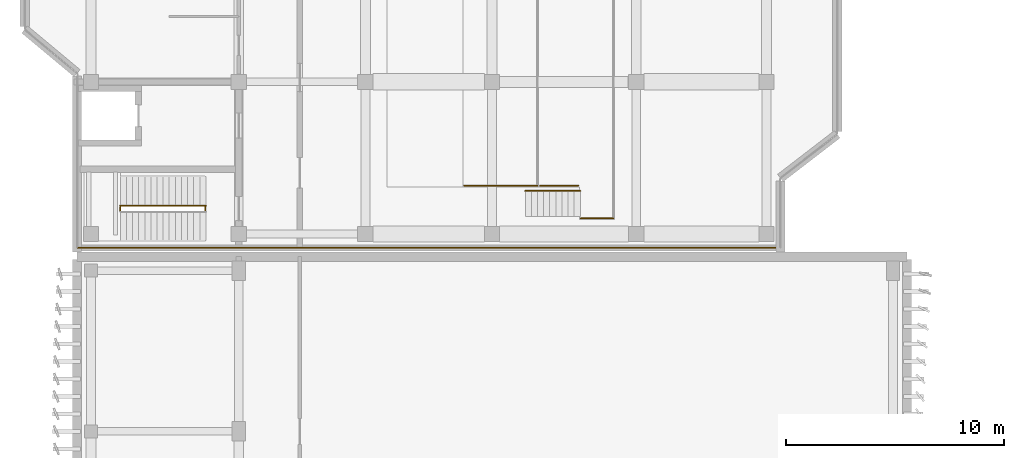
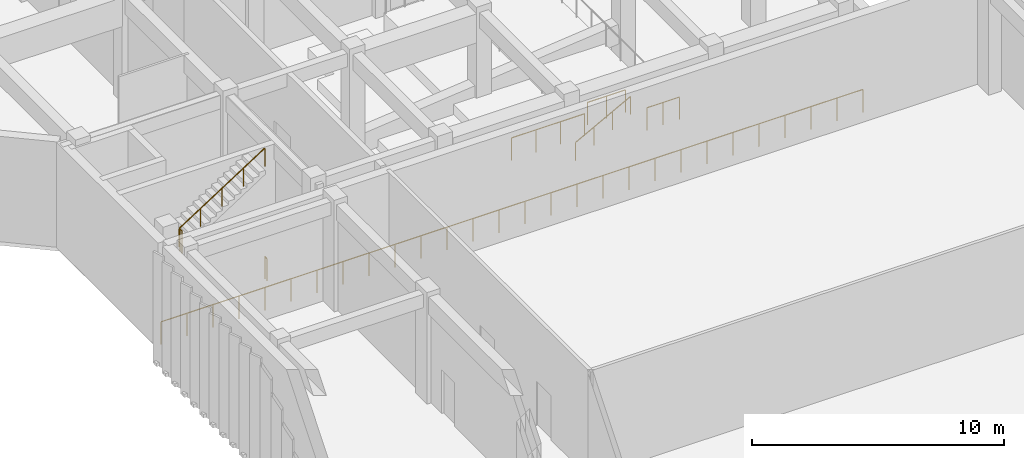
# One storey, part 54 of 64: 8 railings.
"""IFC4 building model written with IfcOpenShell, lengths in metres."""

from ifc_helpers import new_model, si_unit, direction, frame, origin, origin_2d, place, context, subcontext, project, spatial, circle, extrude, material, type_object, element, save


model = new_model("IFC4")

# Units and contexts
model_context = context("Model", 3, precision=1e-05, world=origin(), true_north=direction((0.0, 1.0)))
body_context = subcontext(model_context, "Body", "Model", "MODEL_VIEW")
ifc_project = project(units=[si_unit("LENGTHUNIT", "METRE"), si_unit("AREAUNIT", "SQUARE_METRE"), si_unit("VOLUMEUNIT", "CUBIC_METRE"), si_unit("PLANEANGLEUNIT", "RADIAN"), si_unit("MASSUNIT", "GRAM", prefix="KILO")], contexts=[model_context])

# Site, building, storey
site_placement = place(None, origin())
site = spatial("IfcSite", under=ifc_project, at=site_placement, CompositionType="ELEMENT")
building_placement = place(site_placement, origin())
building = spatial("IfcBuilding", under=site, at=building_placement, Name="Cinchona Park Media Centre", CompositionType="ELEMENT")
storey_placement = place(building_placement, frame((0.0, 0.0, 10.199951171875)))
storey = spatial("IfcBuildingStorey", under=building, at=storey_placement, Name="L02", CompositionType="ELEMENT", Elevation=10.199951171875)

# Railings
ifc_material_1 = material(Name="Painted Steel Stairwell Guardrail", Category="steel")
railing_type_1 = type_object("IfcRailingType", Name="RAILING-GR02", PredefinedType="GUARDRAIL", material=ifc_material_1)
for number, where, name in (
    (1, (13.864990234375, 65.719970703125, 0.0), "Stairwell Guardrail GR02 ST3 L02"),
    (2, (9.97998046875, 65.719970703125, 2.699951171875), "Half-Landing Guardrail GR02 ST3 L02"),
):
    element("IfcRailing", number, at=place(storey_placement, frame(where)), inside=storey, type_object=railing_type_1, Name=name, PredefinedType="GUARDRAIL", context=body_context, shape_type="SweptSolid", body=[
        extrude(circle(Radius=0.02392578125, at=origin_2d()), frame((0.0, 0.0, 1.076171875), z_axis=(0.0, 1.0, 0.0), x_axis=(-1.0, 0.0, 0.0)), (0.0, 0.0, 1.0), 0.159912109375),
        extrude(circle(Radius=0.02099609375, at=origin_2d()), origin(), (0.0, 0.0, 1.0), 1.052001953125),
        extrude(circle(Radius=0.02099609375, at=origin_2d()), frame((0.0, 0.159912109375, 0.0)), (0.0, 0.0, 1.0), 1.052001953125),
    ])
railing_1_placement = place(storey_placement, frame((25.72705078125, 66.85009765625, 1.0)))
element("IfcRailing", 3, at=railing_1_placement, inside=storey, type_object=railing_type_1, Name="Auditorium Tier Side Guardrail GR02 152", PredefinedType="GUARDRAIL", context=body_context, shape_type="SweptSolid", body=[
    extrude(circle(Radius=0.02392578125, at=origin_2d()), frame((0.0, 0.0, 1.076171875), z_axis=(1.0, 0.0, 0.0), x_axis=(0.0, 1.0, 0.0)), (0.0, 0.0, 1.0), 3.346923828125),
    extrude(circle(Radius=0.02099609375, at=origin_2d()), origin(), (0.0, 0.0, 1.0), 1.052001953125),
    extrude(circle(Radius=0.02099609375, at=origin_2d()), frame((1.11572265625, 0.0, 0.0)), (0.0, 0.0, 1.0), 1.052001953125),
    extrude(circle(Radius=0.02099609375, at=origin_2d()), frame((2.231201171875, 0.0, 0.0)), (0.0, 0.0, 1.0), 1.052001953125),
    extrude(circle(Radius=0.02099609375, at=origin_2d()), frame((3.346923828125, 0.0, 0.0)), (0.0, 0.0, 1.0), 1.052001953125),
])
railing_2_placement = place(storey_placement, frame((29.194091796875, 66.85009765625, 1.5)))
element("IfcRailing", 4, at=railing_2_placement, inside=storey, type_object=railing_type_1, Name="Auditorium Tier Side Guardrail GR02 155", PredefinedType="GUARDRAIL", context=body_context, shape_type="SweptSolid", body=[
    extrude(circle(Radius=0.02392578125, at=origin_2d()), frame((0.0, 0.0, 1.076171875), z_axis=(1.0, 0.0, 0.0), x_axis=(0.0, 1.0, 0.0)), (0.0, 0.0, 1.0), 1.746826171875),
    extrude(circle(Radius=0.02099609375, at=origin_2d()), origin(), (0.0, 0.0, 1.0), 1.052001953125),
    extrude(circle(Radius=0.02099609375, at=origin_2d()), frame((0.87353515625, 0.0, 0.0)), (0.0, 0.0, 1.0), 1.052001953125),
    extrude(circle(Radius=0.02099609375, at=origin_2d()), frame((1.746826171875, 0.0, 0.0)), (0.0, 0.0, 1.0), 1.052001953125),
])
railing_3_placement = place(storey_placement, frame((31.06103515625, 65.35009765625, 1.5)))
element("IfcRailing", 5, at=railing_3_placement, inside=storey, type_object=railing_type_1, Name="Auditorium Tier Side Guardrail GR02 156", PredefinedType="GUARDRAIL", context=body_context, shape_type="SweptSolid", body=[
    extrude(circle(Radius=0.02392578125, at=origin_2d()), frame((0.0, 0.0, 1.076171875), z_axis=(1.0, 0.0, 0.0), x_axis=(0.0, 1.0, 0.0)), (0.0, 0.0, 1.0), 1.47998046875),
    extrude(circle(Radius=0.02099609375, at=origin_2d()), origin(), (0.0, 0.0, 1.0), 1.052001953125),
    extrude(circle(Radius=0.02099609375, at=origin_2d()), frame((0.739990234375, 0.0, 0.0)), (0.0, 0.0, 1.0), 1.052001953125),
    extrude(circle(Radius=0.02099609375, at=origin_2d()), frame((1.47998046875, 0.0, 0.0)), (0.0, 0.0, 1.0), 1.052001953125),
])
railing_4_placement = place(storey_placement, frame((8.031982421875, 64.0, 0.0)))
element("IfcRailing", 6, at=railing_4_placement, inside=storey, type_object=railing_type_1, Name="Auditorium Wedge Perimeter Guardrail GR02 L02 S1", PredefinedType="GUARDRAIL", context=body_context, shape_type="SweptSolid", body=[
    extrude(circle(Radius=0.02392578125, at=origin_2d()), frame((0.0, 0.0, 1.09619140625), z_axis=(1.0, 0.0, 0.0), x_axis=(0.0, 1.0, 0.0)), (0.0, 0.0, 1.0), 32.135986328125),
    extrude(circle(Radius=0.02099609375, at=origin_2d()), origin(), (0.0, 0.0, 1.0), 1.072021484375),
    extrude(circle(Radius=0.02099609375, at=origin_2d()), frame((1.190185546875, 0.0, 0.0)), (0.0, 0.0, 1.0), 1.072021484375),
    extrude(circle(Radius=0.02099609375, at=origin_2d()), frame((2.38037109375, 0.0, 0.0)), (0.0, 0.0, 1.0), 1.072021484375),
    extrude(circle(Radius=0.02099609375, at=origin_2d()), frame((3.570556640625, 0.0, 0.0)), (0.0, 0.0, 1.0), 1.072021484375),
    extrude(circle(Radius=0.02099609375, at=origin_2d()), frame((4.760986328125, 0.0, 0.0)), (0.0, 0.0, 1.0), 1.072021484375),
    extrude(circle(Radius=0.02099609375, at=origin_2d()), frame((5.951171875, 0.0, 0.0)), (0.0, 0.0, 1.0), 1.072021484375),
    extrude(circle(Radius=0.02099609375, at=origin_2d()), frame((7.141357421875, 0.0, 0.0)), (0.0, 0.0, 1.0), 1.072021484375),
    extrude(circle(Radius=0.02099609375, at=origin_2d()), frame((8.33154296875, 0.0, 0.0)), (0.0, 0.0, 1.0), 1.072021484375),
    extrude(circle(Radius=0.02099609375, at=origin_2d()), frame((9.521728515625, 0.0, 0.0)), (0.0, 0.0, 1.0), 1.072021484375),
    extrude(circle(Radius=0.02099609375, at=origin_2d()), frame((10.7119140625, 0.0, 0.0)), (0.0, 0.0, 1.0), 1.072021484375),
    extrude(circle(Radius=0.02099609375, at=origin_2d()), frame((11.902099609375, 0.0, 0.0)), (0.0, 0.0, 1.0), 1.072021484375),
    extrude(circle(Radius=0.02099609375, at=origin_2d()), frame((13.092529296875, 0.0, 0.0)), (0.0, 0.0, 1.0), 1.072021484375),
    extrude(circle(Radius=0.02099609375, at=origin_2d()), frame((14.28271484375, 0.0, 0.0)), (0.0, 0.0, 1.0), 1.072021484375),
    extrude(circle(Radius=0.02099609375, at=origin_2d()), frame((15.472900390625, 0.0, 0.0)), (0.0, 0.0, 1.0), 1.072021484375),
    extrude(circle(Radius=0.02099609375, at=origin_2d()), frame((16.6630859375, 0.0, 0.0)), (0.0, 0.0, 1.0), 1.072021484375),
    extrude(circle(Radius=0.02099609375, at=origin_2d()), frame((17.853271484375, 0.0, 0.0)), (0.0, 0.0, 1.0), 1.072021484375),
    extrude(circle(Radius=0.02099609375, at=origin_2d()), frame((19.04345703125, 0.0, 0.0)), (0.0, 0.0, 1.0), 1.072021484375),
    extrude(circle(Radius=0.02099609375, at=origin_2d()), frame((20.23388671875, 0.0, 0.0)), (0.0, 0.0, 1.0), 1.072021484375),
    extrude(circle(Radius=0.02099609375, at=origin_2d()), frame((21.424072265625, 0.0, 0.0)), (0.0, 0.0, 1.0), 1.072021484375),
    extrude(circle(Radius=0.02099609375, at=origin_2d()), frame((22.6142578125, 0.0, 0.0)), (0.0, 0.0, 1.0), 1.072021484375),
    extrude(circle(Radius=0.02099609375, at=origin_2d()), frame((23.804443359375, 0.0, 0.0)), (0.0, 0.0, 1.0), 1.072021484375),
    extrude(circle(Radius=0.02099609375, at=origin_2d()), frame((24.99462890625, 0.0, 0.0)), (0.0, 0.0, 1.0), 1.072021484375),
    extrude(circle(Radius=0.02099609375, at=origin_2d()), frame((26.184814453125, 0.0, 0.0)), (0.0, 0.0, 1.0), 1.072021484375),
    extrude(circle(Radius=0.02099609375, at=origin_2d()), frame((27.375, 0.0, 0.0)), (0.0, 0.0, 1.0), 1.072021484375),
    extrude(circle(Radius=0.02099609375, at=origin_2d()), frame((28.5654296875, 0.0, 0.0)), (0.0, 0.0, 1.0), 1.072021484375),
    extrude(circle(Radius=0.02099609375, at=origin_2d()), frame((29.755615234375, 0.0, 0.0)), (0.0, 0.0, 1.0), 1.072021484375),
    extrude(circle(Radius=0.02099609375, at=origin_2d()), frame((30.94580078125, 0.0, 0.0)), (0.0, 0.0, 1.0), 1.072021484375),
    extrude(circle(Radius=0.02099609375, at=origin_2d()), frame((32.135986328125, 0.0, 0.0)), (0.0, 0.0, 1.0), 1.072021484375),
])
ifc_material_2 = material(Name="Brushed Stainless Steel Handrail", Category="steel")
railing_type_2 = type_object("IfcRailingType", Name="RAILING-HR01", PredefinedType="HANDRAIL", material=ifc_material_2)
railing_5_placement = place(storey_placement, frame((9.97998046875, 65.93994140625, 2.880126953125)))
element("IfcRailing", 7, at=railing_5_placement, inside=storey, type_object=railing_type_2, Name="Stair Handrail HR01 ST3 L02 F2", PredefinedType="HANDRAIL", context=body_context, shape_type="SweptSolid", body=[
    extrude(circle(Radius=0.02392578125, at=origin_2d()), frame((0.0, 0.0, 0.8759765625), z_axis=(0.841171666519, 0.0, 0.540768182723), x_axis=(0.0, 1.0, 0.0)), (0.0, 0.0, 1.0), 4.66015625),
    extrude(circle(Radius=0.02099609375, at=origin_2d()), origin(), (0.0, 0.0, 1.0), 0.851806640625),
    extrude(circle(Radius=0.02099609375, at=origin_2d()), frame((0.97998046875, 0.0, 0.6298828125)), (0.0, 0.0, 1.0), 0.851806640625),
    extrude(circle(Radius=0.02099609375, at=origin_2d()), frame((1.9599609375, 0.0, 1.260009765625)), (0.0, 0.0, 1.0), 0.851806640625),
    extrude(circle(Radius=0.02099609375, at=origin_2d()), frame((2.93994140625, 0.0, 1.89013671875)), (0.0, 0.0, 1.0), 0.851806640625),
    extrude(circle(Radius=0.02099609375, at=origin_2d()), frame((3.919921875, 0.0, 2.52001953125)), (0.0, 0.0, 1.0), 0.851806640625),
])
railing_6_placement = place(storey_placement, frame((28.52001953125, 66.610107421875, 0.150146484375)))
element("IfcRailing", 8, at=railing_6_placement, inside=storey, type_object=railing_type_2, Name="Handrail HR01 SVM4", PredefinedType="HANDRAIL", context=body_context, shape_type="SweptSolid", body=[
    extrude(circle(Radius=0.02392578125, at=origin_2d()), frame((0.0, 0.0, 0.8759765625), z_axis=(0.88150282143, 0.0, 0.472178754087), x_axis=(0.0, 1.0, 0.0)), (0.0, 0.0, 1.0), 2.85888671875),
    extrude(circle(Radius=0.02099609375, at=origin_2d()), origin(), (0.0, 0.0, 1.0), 0.851806640625),
    extrude(circle(Radius=0.02099609375, at=origin_2d()), frame((0.840087890625, 0.0, 0.449951171875)), (0.0, 0.0, 1.0), 0.851806640625),
    extrude(circle(Radius=0.02099609375, at=origin_2d()), frame((1.679931640625, 0.0, 0.89990234375)), (0.0, 0.0, 1.0), 0.851806640625),
    extrude(circle(Radius=0.02099609375, at=origin_2d()), frame((2.52001953125, 0.0, 1.349853515625)), (0.0, 0.0, 1.0), 0.851806640625),
])

save(model, "model.ifc")
